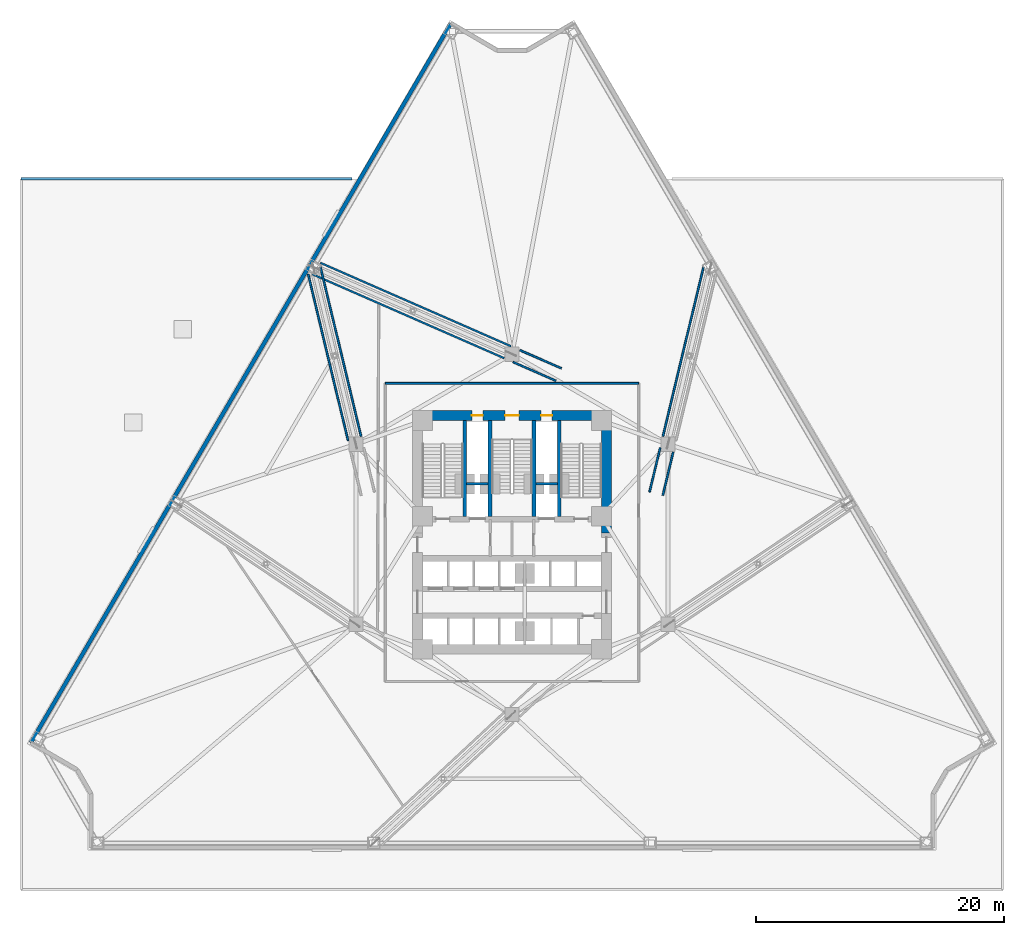
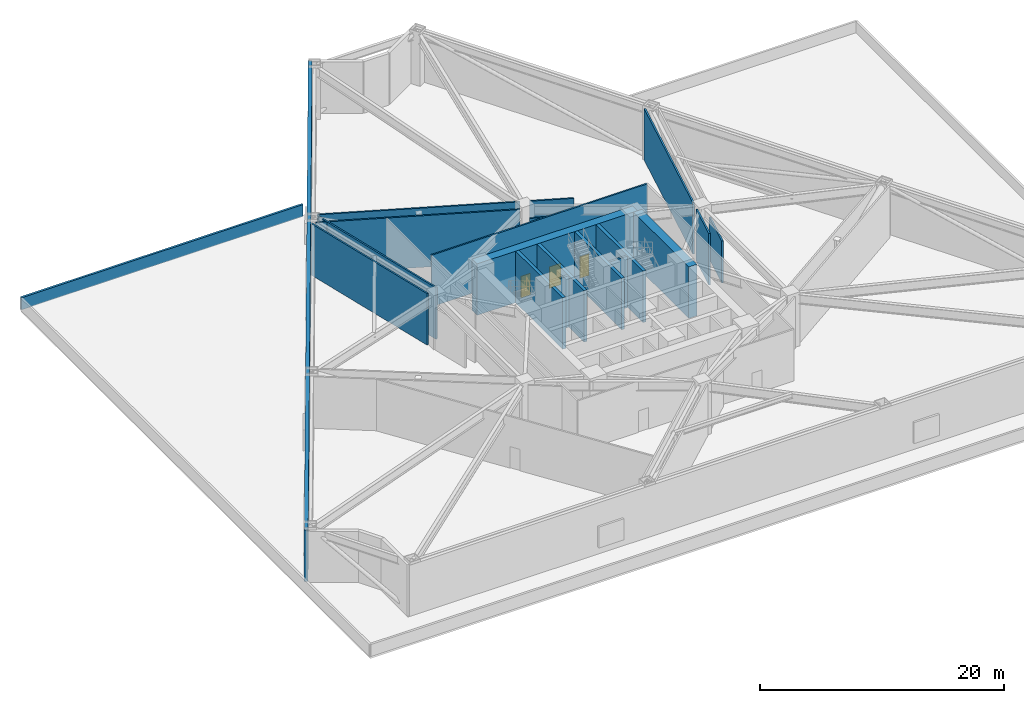
# One storey, part 17 of 23: 20 walls, 3 doors, 3 openings.
"""IFC4 building model written with IfcOpenShell, lengths in metres."""

from ifc_helpers import new_model, si_unit, direction, frame, frame_2d, origin, place, context, subcontext, project, spatial, rectangle, extrude, material, layer, layer_set, type_object, element, fill, save


model = new_model("IFC4")

# Units and contexts
model_context = context("Model", 3, precision=1e-05, world=origin(), true_north=direction((0.0, 1.0)))
body_context = subcontext(model_context, "Body", "Model", "MODEL_VIEW")
ifc_project = project(units=[si_unit("LENGTHUNIT", "METRE"), si_unit("AREAUNIT", "SQUARE_METRE"), si_unit("VOLUMEUNIT", "CUBIC_METRE"), si_unit("PLANEANGLEUNIT", "RADIAN"), si_unit("MASSUNIT", "GRAM", prefix="KILO")], contexts=[model_context])

# Site, building, storey
site_placement = place(None, origin())
site = spatial("IfcSite", under=ifc_project, at=site_placement, CompositionType="ELEMENT")
building_placement = place(site_placement, origin())
building = spatial("IfcBuilding", under=site, at=building_placement, Name="Apsidion Concourse Tower", CompositionType="ELEMENT")
storey_placement = place(building_placement, frame((0.0, 0.0, 29.0)))
storey = spatial("IfcBuildingStorey", under=building, at=storey_placement, Name="L05", CompositionType="ELEMENT", Elevation=29.0)

# Walls
ifc_material_1 = material(Name="Precast concrete C40/50", Category="concrete")
ifc_layer_1 = layer(ifc_material_1, 0.320068359375)
ifc_layer_set_1 = layer_set([ifc_layer_1], Name="Precast concrete C40/50")
wall_type_1 = type_object("IfcWallType", Name="WL-EXT-320", PredefinedType="STANDARD", material=ifc_layer_set_1)
wall_1_placement = place(storey_placement, frame((-38.725830078125, -16.7734375, 0.0), z_axis=(0.0, 0.0, 1.0), x_axis=(0.504213113214, 0.863579258935, 0.0)))
element("IfcWall", 1, at=wall_1_placement, inside=storey, type_object=wall_type_1, Name="L05 Precast Stone Facade Wall 09", PredefinedType="STANDARD", context=body_context, shape_type="SweptSolid", body=[
    extrude(rectangle(XDim=67.041015625, YDim=0.320068359375, at=frame_2d((33.5205078125, 0.0))), origin(), (0.0, 0.0, 1.0), 5.14990234375),
])
ifc_material_2 = material(Name="Gypsum plasterboard partition")
ifc_layer_2 = layer(ifc_material_2, 0.14990234375)
ifc_layer_set_2 = layer_set([ifc_layer_2], Name="Gypsum plasterboard partition")
wall_type_2 = type_object("IfcWallType", Name="WL-INT-PAR-150", PredefinedType="PARTITIONING", material=ifc_layer_set_2)
wall_2_placement = place(storey_placement, frame((-10.199951171875, 12.14990234375, 0.0), z_axis=(0.0, 0.0, 1.0), x_axis=(1.0, 0.0, 0.0)))
element("IfcWall", 2, at=wall_2_placement, inside=storey, type_object=wall_type_2, Name="L05 Interior Partition WL-L05-CORR-01", PredefinedType="PARTITIONING", context=body_context, shape_type="SweptSolid", body=[
    extrude(rectangle(XDim=20.39990234375, YDim=0.14990234375, at=frame_2d((10.199951171875, 0.0))), origin(), (0.0, 0.0, 1.0), 5.14990234375),
])
wall_3_placement = place(storey_placement, frame((12.138671875, 3.134765625, 0.0), z_axis=(0.0, 0.0, 1.0), x_axis=(0.233231047995, 0.972421348105, 0.0)))
element("IfcWall", 3, at=wall_3_placement, inside=storey, type_object=wall_type_2, Name="L05 Interior Partition WL-L05-OTW-03-1-1", PredefinedType="PARTITIONING", context=body_context, shape_type="SweptSolid", body=[
    extrude(rectangle(XDim=3.578857421875, YDim=0.14990234375, at=frame_2d((1.78955078125, 0.0))), origin(), (0.0, 0.0, 1.0), 4.197998046875),
])
wall_4_placement = place(storey_placement, frame((11.06884765625, 3.391357421875, 0.0), z_axis=(0.0, 0.0, 1.0), x_axis=(0.233259748633, 0.972414463934, 0.0)))
element("IfcWall", 4, at=wall_4_placement, inside=storey, type_object=wall_type_2, Name="L05 Interior Partition WL-L05-OTW-03-2-1", PredefinedType="PARTITIONING", context=body_context, shape_type="SweptSolid", body=[
    extrude(rectangle(XDim=3.670654296875, YDim=0.14990234375, at=frame_2d((1.83544921875, 0.0))), origin(), (0.0, 0.0, 1.0), 5.14990234375),
])
wall_5_placement = place(storey_placement, frame((12.146728515625, 7.885009765625, 0.0), z_axis=(0.0, 0.0, 1.0), x_axis=(0.233226723906, 0.972422385209, 0.0)))
element("IfcWall", 5, at=wall_5_placement, inside=storey, type_object=wall_type_2, Name="L05 Interior Partition WL-L05-OTW-03-2-2", PredefinedType="PARTITIONING", context=body_context, shape_type="SweptSolid", body=[
    extrude(rectangle(XDim=14.018798828125, YDim=0.14990234375, at=frame_2d((7.00927734375, 0.0))), origin(), (0.0, 0.0, 1.0), 5.14990234375),
])
wall_6_placement = place(storey_placement, frame((3.9765625, 13.359619140625, 0.0), z_axis=(0.0, 0.0, 1.0), x_axis=(-0.916060535099, 0.401040017996, 0.0)))
element("IfcWall", 6, at=wall_6_placement, inside=storey, type_object=wall_type_2, Name="L05 Interior Partition WL-L05-OTW-04-1-1", PredefinedType="PARTITIONING", context=body_context, shape_type="SweptSolid", body=[
    extrude(rectangle(XDim=3.647705078125, YDim=0.14990234375, at=frame_2d((1.82373046875, 0.0))), origin(), (0.0, 0.0, 1.0), 5.14990234375),
])
wall_7_placement = place(storey_placement, frame((-0.0791015625, 15.135009765625, 0.0), z_axis=(0.0, 0.0, 1.0), x_axis=(-0.916072641685, 0.401012362846, 0.0)))
element("IfcWall", 7, at=wall_7_placement, inside=storey, type_object=wall_type_2, Name="L05 Interior Partition WL-L05-OTW-04-1-2", PredefinedType="PARTITIONING", context=body_context, shape_type="SweptSolid", body=[
    extrude(rectangle(XDim=16.7421875, YDim=0.14990234375, at=frame_2d((8.37109375, 0.0))), origin(), (0.0, 0.0, 1.0), 5.14990234375),
])
wall_8_placement = place(storey_placement, frame((3.535400390625, 12.35205078125, 0.0), z_axis=(0.0, 0.0, 1.0), x_axis=(-0.91607860621, 0.40099873721, 0.0)))
element("IfcWall", 8, at=wall_8_placement, inside=storey, type_object=wall_type_2, Name="L05 Interior Partition WL-L05-OTW-04-2-1", PredefinedType="PARTITIONING", context=body_context, shape_type="SweptSolid", body=[
    extrude(rectangle(XDim=3.77294921875, YDim=0.14990234375, at=frame_2d((1.886474609375, 0.0))), origin(), (0.0, 0.0, 1.0), 4.197998046875),
])
wall_9_placement = place(storey_placement, frame((-0.635009765625, 14.177490234375, 0.0), z_axis=(0.0, 0.0, 1.0), x_axis=(-0.916072172822, 0.401013433917, 0.0)))
element("IfcWall", 9, at=wall_9_placement, inside=storey, type_object=wall_type_2, Name="L05 Interior Partition WL-L05-OTW-04-2-2", PredefinedType="PARTITIONING", context=body_context, shape_type="SweptSolid", body=[
    extrude(rectangle(XDim=16.84765625, YDim=0.14990234375, at=frame_2d((8.423828125, 0.0))), origin(), (0.0, 0.0, 1.0), 5.14990234375),
])
wall_10_placement = place(storey_placement, frame((-12.146728515625, 7.885009765625, 0.0), z_axis=(0.0, 0.0, 1.0), x_axis=(-0.233226723906, 0.972422385209, 0.0)))
element("IfcWall", 10, at=wall_10_placement, inside=storey, type_object=wall_type_2, Name="L05 Interior Partition WL-L05-OTW-05-1-2", PredefinedType="PARTITIONING", context=body_context, shape_type="SweptSolid", body=[
    extrude(rectangle(XDim=14.018798828125, YDim=0.14990234375, at=frame_2d((7.00927734375, 0.0))), origin(), (0.0, 0.0, 1.0), 5.14990234375),
])
wall_11_placement = place(storey_placement, frame((-13.195068359375, 7.539306640625, 0.0), z_axis=(0.0, 0.0, 1.0), x_axis=(-0.233236865616, 0.972419952756, 0.0)))
element("IfcWall", 11, at=wall_11_placement, inside=storey, type_object=wall_type_2, Name="L05 Interior Partition WL-L05-OTW-05-2-2", PredefinedType="PARTITIONING", context=body_context, shape_type="SweptSolid", body=[
    extrude(rectangle(XDim=13.774169921875, YDim=0.14990234375, at=frame_2d((6.88720703125, 0.0))), origin(), (0.0, 0.0, 1.0), 5.14990234375),
])
ifc_layer_3 = layer(ifc_material_2, 0.199951171875)
ifc_layer_set_3 = layer_set([ifc_layer_3], Name="Gypsum plasterboard partition")
wall_type_3 = type_object("IfcWallType", Name="WL-INT-PAR-200", PredefinedType="PARTITIONING", material=ifc_layer_set_3)
for number, where, z_axis, x_axis, name in (
    (12, (-3.64990234375, 4.050048828125, 0.0), (0.0, 0.0, 1.0), (1.0, 0.0, 0.0), "L05 Interior Partition WL-L05-FF1-N"),
    (13, (1.919921875, 4.050048828125, 0.0), (0.0, 0.0, 1.0), (1.0, 0.0, 0.0), "L05 Interior Partition WL-L05-FF2-N"),
):
    element("IfcWall", number, at=place(storey_placement, frame(where, z_axis=z_axis, x_axis=x_axis)), inside=storey, type_object=wall_type_3, Name=name, PredefinedType="PARTITIONING", context=body_context, shape_type="SweptSolid", body=[
        extrude(rectangle(XDim=1.72998046875, YDim=0.199951171875, at=frame_2d((0.864990234375, 0.0))), origin(), (0.0, 0.0, 1.0), 5.14990234375),
    ])
ifc_layer_4 = layer(ifc_material_1, 0.199951171875)
ifc_layer_set_4 = layer_set([ifc_layer_4], Name="Precast concrete C40/50")
wall_type_4 = type_object("IfcWallType", Name="WL-PAR-200", PredefinedType="PARAPET", material=ifc_layer_set_4)
wall_12_placement = place(storey_placement, frame((-39.5, 28.60009765625, 0.0), z_axis=(0.0, 0.0, 1.0), x_axis=(1.0, 0.0, 0.0)))
element("IfcWall", 14, at=wall_12_placement, inside=storey, type_object=wall_type_4, Name="L05 Podium Maintenance Roof Parapet 4", PredefinedType="PARAPET", context=body_context, shape_type="SweptSolid", body=[
    extrude(rectangle(XDim=26.629150390625, YDim=0.199951171875, at=frame_2d((13.314453125, 0.0))), origin(), (0.0, 0.0, 1.0), 1.199951171875),
])
ifc_material_3 = material(Name="Concrete C50/60", Category="concrete")
ifc_layer_5 = layer(ifc_material_3, 0.300048828125)
ifc_layer_set_5 = layer_set([ifc_layer_5], Name="Concrete C50/60")
wall_type_5 = type_object("IfcWallType", Name="WL-SH-300", PredefinedType="SHEAR", material=ifc_layer_set_5)
for number, where, z_axis, x_axis, name in (
    (15, (-3.800048828125, 1.449951171875, 0.0), (0.0, 0.0, 1.0), (0.0, 1.0, 0.0), "L05 Central Core Shear Wall V1"),
    (16, (-1.77490234375, 1.449951171875, 0.0), (0.0, 0.0, 1.0), (0.0, 1.0, 0.0), "L05 Central Core Shear Wall V2"),
    (17, (1.77490234375, 1.449951171875, 0.0), (0.0, 0.0, 1.0), (0.0, 1.0, 0.0), "L05 Central Core Shear Wall V3"),
    (18, (3.800048828125, 1.449951171875, 0.0), (0.0, 0.0, 1.0), (0.0, 1.0, 0.0), "L05 Central Core Shear Wall V4"),
):
    element("IfcWall", number, at=place(storey_placement, frame(where, z_axis=z_axis, x_axis=x_axis)), inside=storey, type_object=wall_type_5, Name=name, PredefinedType="SHEAR", context=body_context, shape_type="SweptSolid", body=[
        extrude(rectangle(XDim=7.699951171875, YDim=0.300048828125, at=frame_2d((3.85009765625, 0.0))), origin(), (0.0, 0.0, 1.0), 5.14990234375),
    ])

# Wall, openings, doors
ifc_material_4 = material(Name="Concrete C60/75", Category="concrete")
ifc_layer_6 = layer(ifc_material_4, 0.800048828125)
ifc_layer_set_6 = layer_set([ifc_layer_6], Name="Concrete C60/75")
wall_type_6 = type_object("IfcWallType", Name="WL-SH-800", PredefinedType="SHEAR", material=ifc_layer_set_6)
wall_13_placement = place(storey_placement, frame((-7.60009765625, 9.550048828125, 0.0), z_axis=(0.0, 0.0, 1.0), x_axis=(1.0, 0.0, 0.0)))
wall_13 = element("IfcWall", 19, at=wall_13_placement, inside=storey, type_object=wall_type_6, Name="L05 Central Core Shear Wall N", PredefinedType="SHEAR", context=body_context, shape_type="SweptSolid", body=[
    extrude(rectangle(XDim=15.2001953125, YDim=0.800048828125, at=frame_2d((7.60009765625, 0.0))), origin(), (0.0, 0.0, 1.0), 5.14990234375),
])
opening_1_placement = place(wall_13_placement, frame((7.050048828125, 0.0, 0.0)))
opening_1 = element("IfcOpeningElement", 20, at=opening_1_placement, cuts=wall_13, Name="Opening D-STL", PredefinedType="OPENING", context=body_context, shape_type="SweptSolid", body=[
    extrude(rectangle(XDim=1.10009765625, YDim=2.14990234375, at=frame_2d((0.550048828125, 1.074951171875))), frame((0.0, 0.41015625, 0.0), z_axis=(0.0, -1.0, 0.0), x_axis=(1.0, 0.0, 0.0)), (0.0, 0.0, 1.0), 0.820068359375),
])
opening_2_placement = place(wall_13_placement, frame((4.3798828125, 0.0, 0.0)))
opening_2 = element("IfcOpeningElement", 21, at=opening_2_placement, cuts=wall_13, Name="Opening D-05L", PredefinedType="OPENING", context=body_context, shape_type="SweptSolid", body=[
    extrude(rectangle(XDim=0.8798828125, YDim=2.14990234375, at=frame_2d((0.43994140625, 1.074951171875))), frame((0.0, 0.41015625, 0.0), z_axis=(0.0, -1.0, 0.0), x_axis=(1.0, 0.0, 0.0)), (0.0, 0.0, 1.0), 0.820068359375),
])
opening_3_placement = place(wall_13_placement, frame((9.93994140625, 0.0, 0.0)))
opening_3 = element("IfcOpeningElement", 22, at=opening_3_placement, cuts=wall_13, Name="Opening D-05R", PredefinedType="OPENING", context=body_context, shape_type="SweptSolid", body=[
    extrude(rectangle(XDim=0.8798828125, YDim=2.14990234375, at=frame_2d((0.43994140625, 1.074951171875))), frame((0.0, 0.41015625, 0.0), z_axis=(0.0, -1.0, 0.0), x_axis=(1.0, 0.0, 0.0)), (0.0, 0.0, 1.0), 0.820068359375),
])
ifc_material_5 = material(Name="Brushed stainless steel 316", Category="steel")
door_type_1 = type_object("IfcDoorType", Name="DR-INT-D05L", OperationType="SINGLE_SWING_LEFT", PredefinedType="DOOR", material=ifc_material_5)
door_1_placement = place(opening_2_placement, origin())
door_1 = element("IfcDoor", 23, at=door_1_placement, inside=storey, type_object=door_type_1, Name="L05 Electrical Riser Shaft Access Door", OperationType="SINGLE_SWING_LEFT", OverallHeight=2.14990234375, OverallWidth=0.8798828125, PredefinedType="DOOR", context=body_context, shape_type="SweptSolid", body=[
    extrude(rectangle(XDim=0.8798828125, YDim=2.14990234375, at=frame_2d((0.43994140625, 1.074951171875))), frame((0.0, 0.02490234375, 0.0), z_axis=(0.0, -1.0, 0.0), x_axis=(1.0, 0.0, 0.0)), (0.0, 0.0, 1.0), 0.050048828125),
])
fill(opening_2, door_1)
door_type_2 = type_object("IfcDoorType", Name="DR-INT-D05R", OperationType="SINGLE_SWING_RIGHT", PredefinedType="DOOR", material=ifc_material_5)
door_2_placement = place(opening_3_placement, origin())
door_2 = element("IfcDoor", 24, at=door_2_placement, inside=storey, type_object=door_type_2, Name="L05 Mechanical Riser Shaft Access Door", OperationType="SINGLE_SWING_RIGHT", OverallHeight=2.14990234375, OverallWidth=0.8798828125, PredefinedType="DOOR", context=body_context, shape_type="SweptSolid", body=[
    extrude(rectangle(XDim=0.8798828125, YDim=2.14990234375, at=frame_2d((0.43994140625, 1.074951171875))), frame((0.0, 0.02490234375, 0.0), z_axis=(0.0, -1.0, 0.0), x_axis=(1.0, 0.0, 0.0)), (0.0, 0.0, 1.0), 0.050048828125),
])
fill(opening_3, door_2)
door_type_3 = type_object("IfcDoorType", Name="DR-INT-ST1L", OperationType="SINGLE_SWING_LEFT", PredefinedType="DOOR", material=ifc_material_5)
door_3_placement = place(opening_1_placement, origin())
door_3 = element("IfcDoor", 25, at=door_3_placement, inside=storey, type_object=door_type_3, Name="L05 Core Exit Stair ST3 Door", OperationType="SINGLE_SWING_LEFT", OverallHeight=2.14990234375, OverallWidth=1.10009765625, PredefinedType="DOOR", context=body_context, shape_type="SweptSolid", body=[
    extrude(rectangle(XDim=1.10009765625, YDim=2.14990234375, at=frame_2d((0.550048828125, 1.074951171875))), frame((0.0, 0.02490234375, 0.0), z_axis=(0.0, -1.0, 0.0), x_axis=(1.0, 0.0, 0.0)), (0.0, 0.0, 1.0), 0.050048828125),
])
fill(opening_1, door_3)

# Wall
wall_14_placement = place(storey_placement, frame((7.60009765625, 0.10009765625, 0.0), z_axis=(0.0, 0.0, 1.0), x_axis=(0.0, 1.0, 0.0)))
element("IfcWall", 26, at=wall_14_placement, inside=storey, type_object=wall_type_6, Name="L05 Central Core Shear Wall EN", PredefinedType="SHEAR", context=body_context, shape_type="SweptSolid", body=[
    extrude(rectangle(XDim=9.0498046875, YDim=0.800048828125, at=frame_2d((4.52490234375, 0.0))), origin(), (0.0, 0.0, 1.0), 5.14990234375),
])

save(model, "model.ifc")
